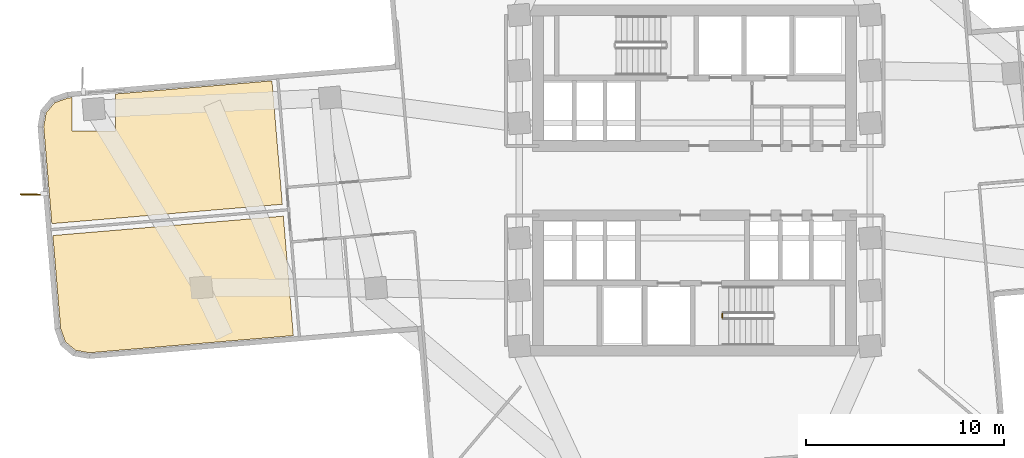
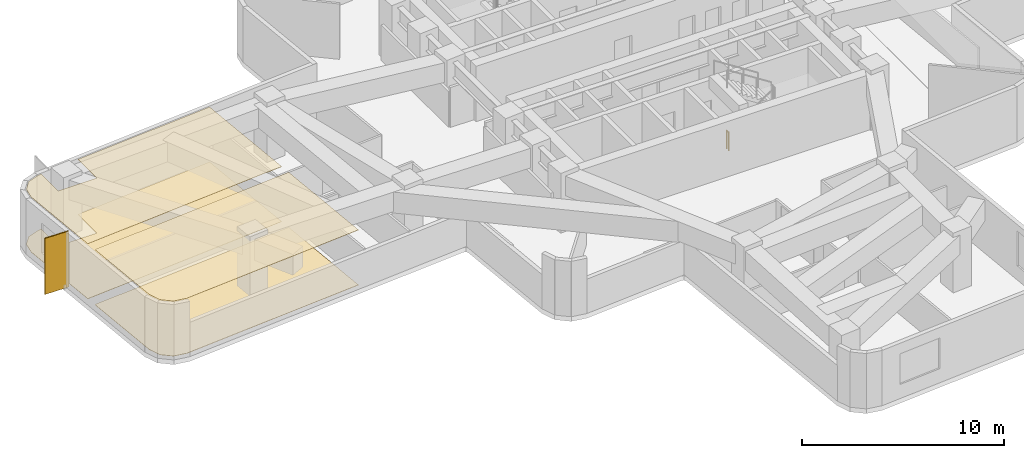
# One storey, part 8 of 11: 4 coverings, 1 railing, 1 shading device.
"""IFC4 building model written with IfcOpenShell, lengths in metres."""

from ifc_helpers import new_model, si_unit, direction, frame, origin, origin_2d, place, context, subcontext, project, spatial, polyline, rectangle, circle, outline, extrude, material, layer, layer_set, type_object, element, save


model = new_model("IFC4")

# Units and contexts
model_context = context("Model", 3, precision=1e-05, world=origin(), true_north=direction((0.0, 1.0)))
body_context = subcontext(model_context, "Body", "Model", "MODEL_VIEW")
ifc_project = project(units=[si_unit("LENGTHUNIT", "METRE"), si_unit("AREAUNIT", "SQUARE_METRE"), si_unit("VOLUMEUNIT", "CUBIC_METRE"), si_unit("PLANEANGLEUNIT", "RADIAN"), si_unit("MASSUNIT", "GRAM", prefix="KILO")], contexts=[model_context])

# Site, building, storey
site_placement = place(None, origin())
site = spatial("IfcSite", under=ifc_project, at=site_placement, CompositionType="ELEMENT")
building_placement = place(site_placement, origin())
building = spatial("IfcBuilding", under=site, at=building_placement, Name="Solmarez Civic Tower", CompositionType="ELEMENT")
storey_placement = place(building_placement, frame((0.0, 0.0, 64.080078125)))
storey = spatial("IfcBuildingStorey", under=building, at=storey_placement, Name="L16", CompositionType="ELEMENT", Elevation=64.080078125)

# Coverings
ifc_material_1 = material(Name="Perforated Mineral-Fibre Acoustic Ceiling")
ifc_layer_1 = layer(ifc_material_1, 0.02490234375)
ifc_layer_set_1 = layer_set([ifc_layer_1], Name="Perforated Mineral-Fibre Acoustic Ceiling")
covering_type_1 = type_object("IfcCoveringType", Name="COV-CEIL-ACOUSTIC", PredefinedType="CEILING", material=ifc_layer_set_1)
covering_1_placement = place(storey_placement, frame((0.0, 0.0, 3.31494140625)))
element("IfcCovering", 1, at=covering_1_placement, inside=storey, type_object=covering_type_1, Name="L16 Suspended Acoustic Ceiling 2", PredefinedType="CEILING", context=body_context, shape_type="SweptSolid", body=[
    extrude(outline(polyline([(-21.325927734375, 5.032958984375), (-29.218017578125, 4.37109375), (-29.218017578125, 2.509033203125), (-31.41796875, 2.509033203125), (-31.41796875, 4.18603515625), (-31.62109375, 4.1689453125), (-32.287109375, 3.928955078125), (-32.718017578125, 3.4189453125), (-32.843017578125, 2.721923828125), (-32.431884765625, -2.1708984375), (-20.802978515625, -1.195068359375), (-21.325927734375, 5.032958984375)])), origin(), (0.0, 0.0, 1.0), 0.02490234375),
])
covering_2_placement = place(storey_placement, frame((0.0, 0.0, 3.31494140625)))
element("IfcCovering", 2, at=covering_2_placement, inside=storey, type_object=covering_type_1, Name="L16 Suspended Acoustic Ceiling 3", PredefinedType="CEILING", context=body_context, shape_type="SweptSolid", body=[
    extrude(outline(polyline([(-32.381103515625, -2.77001953125), (-31.987060546875, -7.464111328125), (-31.748046875, -8.1298828125), (-31.238037109375, -8.56103515625), (-30.541015625, -8.68603515625), (-20.2470703125, -7.821044921875), (-20.7529296875, -1.79296875), (-32.381103515625, -2.77001953125)])), origin(), (0.0, 0.0, 1.0), 0.02490234375),
])
ifc_material_2 = material(Name="Polished Tropical Stone Terrazzo Flooring", Category="masonry")
ifc_layer_2 = layer(ifc_material_2, 0.02001953125)
ifc_layer_set_2 = layer_set([ifc_layer_2], Name="Polished Tropical Stone Terrazzo Flooring")
covering_type_2 = type_object("IfcCoveringType", Name="COV-FLOOR-TERRAZZO", PredefinedType="FLOORING", material=ifc_layer_set_2)
covering_3_placement = place(storey_placement, origin())
element("IfcCovering", 3, at=covering_3_placement, inside=storey, type_object=covering_type_2, Name="L16 Terrazzo Floor Finish 2", PredefinedType="FLOORING", context=body_context, shape_type="SweptSolid", body=[
    extrude(outline(polyline([(-21.325927734375, 5.032958984375), (-29.218017578125, 4.37109375), (-29.218017578125, 2.509033203125), (-31.41796875, 2.509033203125), (-31.41796875, 4.18603515625), (-31.62109375, 4.1689453125), (-32.287109375, 3.928955078125), (-32.718017578125, 3.4189453125), (-32.843017578125, 2.721923828125), (-32.431884765625, -2.1708984375), (-20.802978515625, -1.195068359375), (-21.325927734375, 5.032958984375)])), origin(), (0.0, 0.0, 1.0), 0.02001953125),
])
covering_4_placement = place(storey_placement, origin())
element("IfcCovering", 4, at=covering_4_placement, inside=storey, type_object=covering_type_2, Name="L16 Terrazzo Floor Finish 3", PredefinedType="FLOORING", context=body_context, shape_type="SweptSolid", body=[
    extrude(outline(polyline([(-32.381103515625, -2.77001953125), (-31.987060546875, -7.464111328125), (-31.748046875, -8.1298828125), (-31.238037109375, -8.56103515625), (-30.541015625, -8.68603515625), (-20.2470703125, -7.821044921875), (-20.7529296875, -1.79296875), (-32.381103515625, -2.77001953125)])), origin(), (0.0, 0.0, 1.0), 0.02001953125),
])

# Shading device
ifc_material_3 = material(Name="Bronze Anodised Aluminium EN AW-6063 T6", Category="aluminium")
ifc_layer_3 = layer(ifc_material_3, 0.06494140625)
ifc_layer_set_3 = layer_set([ifc_layer_3], Name="Bronze Anodised Aluminium EN AW-6063 T6")
shading_device_type = type_object("IfcShadingDeviceType", Name="FIN-BRONZE-Z12", PredefinedType="USERDEFINED", material=ifc_layer_set_3)
shading_device_placement = place(storey_placement, frame((-33.363037109375, -0.705078125, -0.0400390625), z_axis=(0.0, 0.0, 1.0), x_axis=(-0.999843091863, 0.017714165351, 0.0)))
element("IfcShadingDevice", 5, at=shading_device_placement, inside=storey, type_object=shading_device_type, Name="L16 Anodised Bronze Solar Fin FIN-L16-01", ObjectType="FIN", PredefinedType="USERDEFINED", context=body_context, shape_type="SweptSolid", body=[
    extrude(rectangle(XDim=1.35009765625, YDim=0.06494140625, at=origin_2d()), origin(), (0.0, 0.0, 1.0), 3.3798828125),
])

# Railing
ifc_material_4 = material(Name="Painted Steel Stairwell Safety Guard", Category="steel")
railing_type = type_object("IfcRailingType", Name="GUARD-STAIR-1120", PredefinedType="BALUSTRADE", material=ifc_material_4)
railing_placement = place(storey_placement, frame((1.39990234375, -6.919921875, 0.0)))
element("IfcRailing", 6, at=railing_placement, inside=storey, type_object=railing_type, Name="L16 ST-2 stair guard 4", PredefinedType="BALUSTRADE", context=body_context, shape_type="SweptSolid", body=[
    extrude(circle(Radius=0.02392578125, at=origin_2d()), frame((0.0, 0.0, 1.09619140625), z_axis=(0.0, 1.0, 0.0), x_axis=(-1.0, 0.0, 0.0)), (0.0, 0.0, 1.0), 0.199951171875),
    extrude(circle(Radius=0.02099609375, at=origin_2d()), origin(), (0.0, 0.0, 1.0), 1.072021484375),
    extrude(circle(Radius=0.02099609375, at=origin_2d()), frame((0.0, 0.199951171875, 0.0)), (0.0, 0.0, 1.0), 1.072021484375),
])

save(model, "model.ifc")
